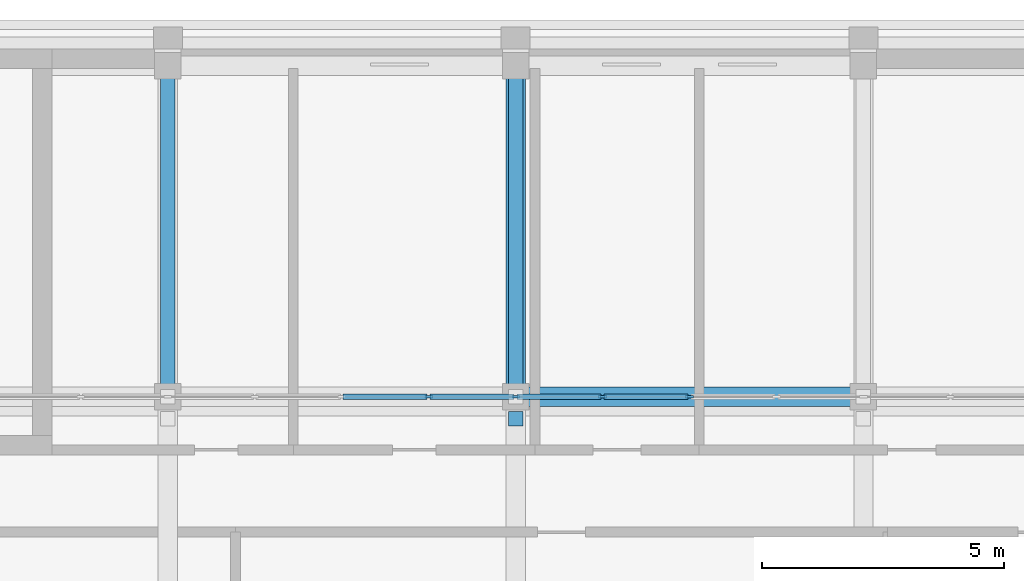
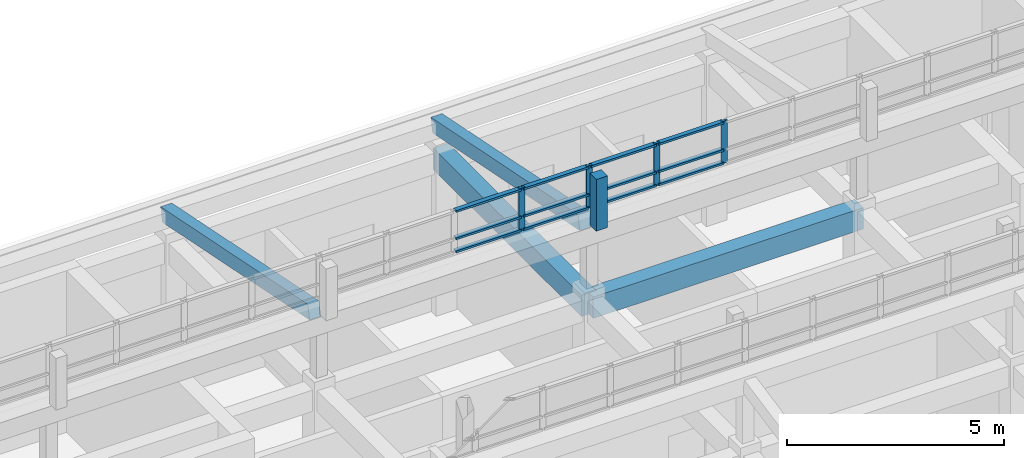
# One storey, part 20 of 48: 17 members, 4 beams, 1 element without a shape of its own.
"""IFC4 building model written with IfcOpenShell, lengths in metres."""

import ifcopenshell
import ifcopenshell.guid

model = None  # the IFC model being written
_history = None  # IfcOwnerHistory: only IFC2X3 demands one
_inside = {}  # id of a spatial element -> (the spatial element, [elements in it])
_under = {}  # id of a project, library or spatial element -> (it, [spatial elements below it])
_declared = {}  # id of a project -> (the project, [libraries it declares])
_typed = {}  # id of a type object -> (the type object, [elements of that type])
_made_of = {}  # id of a material, layer set ... -> (it, [elements and type objects made of it])


def new_model(schema):
    """Start an empty IFC model of exactly this schema.

    Asked for "IFC4X3", IfcOpenShell would pick the latest addendum, in which some entities
    have other attributes; the version numbers below select the first issue.
    IFC2X3 requires an IfcOwnerHistory on every rooted entity: one is made here for all.
    """
    global model, _history
    if schema == "IFC4X3":
        model = ifcopenshell.file(schema_version=(4, 3, 0, 0))
    else:
        model = ifcopenshell.file(schema=schema)
    _inside.clear()
    _under.clear()
    _declared.clear()
    _typed.clear()
    _made_of.clear()
    _history = None
    if model.schema == "IFC2X3":
        org = make("IfcOrganization", Name="unknown")
        user = make(
            "IfcPersonAndOrganization",
            ThePerson=make("IfcPerson", FamilyName="unknown"),
            TheOrganization=org,
        )
        app = make(
            "IfcApplication",
            ApplicationDeveloper=org,
            Version="unknown",
            ApplicationFullName="unknown",
            ApplicationIdentifier="unknown",
        )
        _history = make(
            "IfcOwnerHistory",
            OwningUser=user,
            OwningApplication=app,
            ChangeAction="ADDED",
            CreationDate=0,
        )
    return model


def make(cls, **values):
    """One entity of the class cls with the attributes given. An attribute that is None is left unset."""
    return model.create_entity(
        cls, **{name: value for name, value in values.items() if value is not None}
    )


def rooted(cls, **values):
    """An entity with a GlobalId (a new one), such as an element, a storey or a relation."""
    return make(cls, GlobalId=ifcopenshell.guid.new(), OwnerHistory=_history, **values)


def si_unit(unit_type, name, prefix=None):
    """IfcSIUnit, for example si_unit("LENGTHUNIT", "METRE", prefix="MILLI")."""
    return make("IfcSIUnit", UnitType=unit_type, Prefix=prefix, Name=name)


def assignment(units):
    """IfcUnitAssignment: the units of a project."""
    return None if units is None else make("IfcUnitAssignment", Units=units)


def point(xyz):
    """IfcCartesianPoint."""
    return None if xyz is None else make("IfcCartesianPoint", Coordinates=xyz)


def direction(xyz):
    """IfcDirection."""
    return None if xyz is None else make("IfcDirection", DirectionRatios=xyz)


def frame(location, z_axis=None, x_axis=None):
    """IfcAxis2Placement3D, a coordinate frame: its origin and axes. An axis left out is left unset."""
    return make(
        "IfcAxis2Placement3D",
        Location=point(location),
        Axis=direction(z_axis),
        RefDirection=direction(x_axis),
    )


def frame_2d(location, x_axis=None):
    """IfcAxis2Placement2D, a coordinate frame in the plane: its origin and x axis."""
    return make(
        "IfcAxis2Placement2D", Location=point(location), RefDirection=direction(x_axis)
    )


def origin():
    """The frame at (0, 0, 0) with its axes left unset."""
    return frame((0.0, 0.0, 0.0))


def origin_2d():
    """The frame at (0, 0) in the plane with its x axis left unset."""
    return frame_2d((0.0, 0.0))


def place(relative_to, where):
    """IfcLocalPlacement: puts the frame where relative to a parent placement (None: the world)."""
    return make(
        "IfcLocalPlacement", PlacementRelTo=relative_to, RelativePlacement=where
    )


def context(
    kind, dimensions, precision=None, world=None, true_north=None, identifier=None
):
    """IfcGeometricRepresentationContext, for example the 3D "Model" context."""
    return make(
        "IfcGeometricRepresentationContext",
        ContextIdentifier=identifier,
        ContextType=kind,
        CoordinateSpaceDimension=dimensions,
        Precision=precision,
        WorldCoordinateSystem=world,
        TrueNorth=true_north,
    )


def subcontext(parent, identifier, kind, view, scale=None):
    """IfcGeometricRepresentationSubContext, for example "Body" below "Model"."""
    return make(
        "IfcGeometricRepresentationSubContext",
        ContextIdentifier=identifier,
        ContextType=kind,
        ParentContext=parent,
        TargetScale=scale,
        TargetView=view,
    )


def project(units=None, contexts=None):
    """IfcProject with its units and contexts."""
    return rooted(
        "IfcProject",
        Name="project",
        RepresentationContexts=contexts,
        UnitsInContext=assignment(units),
    )


def spatial(cls, under=None, at=None, **own):
    """A site, building, storey or space (cls), placed at a placement, below another one or the project."""
    s = rooted(cls, ObjectPlacement=at, **own)
    if under is not None:
        _under.setdefault(under.id(), (under, []))[1].append(s)
    return s


def profile(cls, at=None, kind="AREA", **sizes):
    """A parametric profile (cls). Its sizes go by their IFC names, for example OverallWidth=200.0."""
    return make(cls, ProfileType=kind, Position=at, **sizes)


def rectangle(**sizes):
    """IfcRectangleProfileDef."""
    return profile("IfcRectangleProfileDef", **sizes)


def extrude(swept, where, along, depth):
    """IfcExtrudedAreaSolid: the profile swept, set in the frame where, extruded along a direction by depth."""
    return make(
        "IfcExtrudedAreaSolid",
        SweptArea=swept,
        Position=where,
        ExtrudedDirection=direction(along),
        Depth=depth,
    )


def shape(context_of_items, identifier, shape_type, items):
    """IfcShapeRepresentation: the items that make up one representation, for example the "Body"."""
    return make(
        "IfcShapeRepresentation",
        ContextOfItems=context_of_items,
        RepresentationIdentifier=identifier,
        RepresentationType=shape_type,
        Items=items,
    )


def material(Name=None, Category=None):
    """IfcMaterial."""
    return make("IfcMaterial", Name=Name, Category=Category)


def material_profile(
    of_material, cross_section, Name=None, Category=None, Priority=None
):
    """IfcMaterialProfile: a cross section and its material."""
    return make(
        "IfcMaterialProfile",
        Name=Name,
        Material=of_material,
        Profile=cross_section,
        Priority=Priority,
        Category=Category,
    )


def profile_set(profiles, Name=None, composite=None):
    """IfcMaterialProfileSet."""
    return make(
        "IfcMaterialProfileSet",
        Name=Name,
        MaterialProfiles=profiles,
        CompositeProfile=composite,
    )


def made_of(thing, what):
    """Note that an element or type object is made of a material, layer set ...; save() writes the relation."""
    if what is not None:
        _made_of.setdefault(what.id(), (what, []))[1].append(thing)
    return thing


def type_object(cls, material=None, **own):
    """A type object (cls), such as IfcWallType, which elements share."""
    return made_of(rooted(cls, **own), material)


def element(
    cls,
    number,
    at=None,
    inside=None,
    cuts=None,
    type_object=None,
    material=None,
    context=None,
    identifier="Body",
    shape_type=None,
    held_by="IfcProductDefinitionShape",
    body=None,
    shapes=None,
    **own,
):
    """One element of the class cls, such as IfcWall. Its Tag is "e" and its number.

    at: its placement. inside: the storey or other place that contains it. cuts: it is an
    opening in that element (IfcRelVoidsElement). A single representation is given by context,
    identifier, shape_type and body (its items); several are given by shapes. held_by: the class
    of the entity that holds the representations. save() writes the other relations.
    """
    e = rooted(cls, Tag="e%d" % number, ObjectPlacement=at, **own)
    if body is not None:
        shapes = [shape(context, identifier, shape_type, body)]
    if shapes is not None:
        e.Representation = make(held_by, Representations=shapes)
    if inside is not None:
        _inside.setdefault(inside.id(), (inside, []))[1].append(e)
    if cuts is not None:
        rooted(
            "IfcRelVoidsElement", RelatingBuildingElement=cuts, RelatedOpeningElement=e
        )
    if type_object is not None:
        _typed.setdefault(type_object.id(), (type_object, []))[1].append(e)
    return made_of(e, material)


def aggregate(whole, parts):
    """IfcRelAggregates: a whole, such as a stair, and the parts it consists of."""
    return rooted("IfcRelAggregates", RelatingObject=whole, RelatedObjects=parts)


def save(model, path):
    """Write the relations noted so far, then the file.

    IfcRelAggregates (storeys below a building ...), IfcRelContainedInSpatialStructure (elements
    in a storey), IfcRelDefinesByType, IfcRelAssociatesMaterial and IfcRelDeclares: one each for
    every whole, place, type object, material and project.
    """
    for whole, parts in _under.values():
        aggregate(whole, parts)
    for where, things in _inside.values():
        rooted(
            "IfcRelContainedInSpatialStructure",
            RelatedElements=things,
            RelatingStructure=where,
        )
    for kind, things in _typed.values():
        rooted("IfcRelDefinesByType", RelatedObjects=things, RelatingType=kind)
    for what, things in _made_of.values():
        rooted("IfcRelAssociatesMaterial", RelatedObjects=things, RelatingMaterial=what)
    for by, libraries in _declared.values():
        rooted("IfcRelDeclares", RelatingContext=by, RelatedDefinitions=libraries)
    model.write(path)


model = new_model("IFC4")

# Units and contexts
model_context = context("Model", 3, precision=1e-05, world=origin(), true_north=direction((0.0, 1.0)))
body_context = subcontext(model_context, "Body", "Model", "MODEL_VIEW")
ifc_project = project(units=[si_unit("LENGTHUNIT", "METRE"), si_unit("AREAUNIT", "SQUARE_METRE"), si_unit("VOLUMEUNIT", "CUBIC_METRE"), si_unit("PLANEANGLEUNIT", "RADIAN"), si_unit("MASSUNIT", "GRAM", prefix="KILO")], contexts=[model_context])

# Site, building, storey
site_placement = place(None, origin())
site = spatial("IfcSite", under=ifc_project, at=site_placement, CompositionType="ELEMENT")
building_placement = place(site_placement, origin())
building = spatial("IfcBuilding", under=site, at=building_placement, Name="Alderwick Market Hall", CompositionType="ELEMENT")
storey_placement = place(building_placement, frame((0.0, 0.0, 14.39990234375)))
storey = spatial("IfcBuildingStorey", under=building, at=storey_placement, Name="L02", CompositionType="ELEMENT", Elevation=14.39990234375)

# Curtain wall, members
ifc_material_1 = material(Name="F Curtain Wall 1800 module")
curtain_wall_type = type_object("IfcCurtainWallType", Name="F Curtain Wall 1800 module", PredefinedType="NOTDEFINED", material=ifc_material_1)
curtain_wall_placement = place(storey_placement, origin())
curtain_wall = element("IfcCurtainWall", 1, at=curtain_wall_placement, inside=storey, type_object=curtain_wall_type, Name="F.lantern.L02.n", PredefinedType="NOTDEFINED")
ifc_material_2 = material(Name="Aluminium alloy 6063-T6", Category="aluminium")
ifc_material_profile_1 = material_profile(ifc_material_2, rectangle(XDim=0.06005859375, YDim=0.159912109375, at=origin_2d()), Name="AL 60x160")
ifc_profile_set_1 = profile_set([ifc_material_profile_1], Name="Aluminium alloy 6063-T6")
member_type_1 = type_object("IfcMemberType", Name="F Curtain Wall Mullion 60x160", PredefinedType="MULLION", material=ifc_profile_set_1)
member_1_placement = place(storey_placement, frame((207.0, 144.0, 6.955078125), z_axis=(0.0, 0.0, 1.0), x_axis=(0.0, 1.0, 0.0)))
member_1 = element("IfcMember", 2, at=member_1_placement, type_object=member_type_1, Name="F-LCW mullion 24", PredefinedType="MULLION", context=body_context, shape_type="SweptSolid", body=[
    extrude(rectangle(XDim=0.06005859375, YDim=0.159912109375, at=origin_2d()), origin(), (0.0, 0.0, 1.0), 1.199951171875),
])
member_2_placement = place(storey_placement, frame((208.800048828125, 144.0, 6.955078125), z_axis=(0.0, 0.0, 1.0), x_axis=(0.0, 1.0, 0.0)))
member_2 = element("IfcMember", 3, at=member_2_placement, type_object=member_type_1, Name="F-LCW mullion 25", PredefinedType="MULLION", context=body_context, shape_type="SweptSolid", body=[
    extrude(rectangle(XDim=0.06005859375, YDim=0.159912109375, at=origin_2d()), origin(), (0.0, 0.0, 1.0), 1.199951171875),
])
member_3_placement = place(storey_placement, frame((210.60009765625, 144.0, 6.955078125), z_axis=(0.0, 0.0, 1.0), x_axis=(0.0, 1.0, 0.0)))
member_3 = element("IfcMember", 4, at=member_3_placement, type_object=member_type_1, Name="F-LCW mullion 26", PredefinedType="MULLION", context=body_context, shape_type="SweptSolid", body=[
    extrude(rectangle(XDim=0.06005859375, YDim=0.159912109375, at=origin_2d()), origin(), (0.0, 0.0, 1.0), 1.199951171875),
])
member_4_placement = place(storey_placement, frame((212.39990234375, 144.0, 6.955078125), z_axis=(0.0, 0.0, 1.0), x_axis=(0.0, 1.0, 0.0)))
member_4 = element("IfcMember", 5, at=member_4_placement, type_object=member_type_1, Name="F-LCW mullion 27", PredefinedType="MULLION", context=body_context, shape_type="SweptSolid", body=[
    extrude(rectangle(XDim=0.06005859375, YDim=0.159912109375, at=origin_2d()), origin(), (0.0, 0.0, 1.0), 1.199951171875),
])
ifc_material_profile_2 = material_profile(ifc_material_2, rectangle(XDim=0.1201171875, YDim=0.06005859375, at=origin_2d()), Name="AL 60x120")
ifc_profile_set_2 = profile_set([ifc_material_profile_2], Name="Aluminium alloy 6063-T6")
member_type_2 = type_object("IfcMemberType", Name="F Curtain Wall Transom 60x120", PredefinedType="USERDEFINED", material=ifc_profile_set_2)
member_5_placement = place(storey_placement, frame((205.22998046875, 144.0, 6.985107421875), z_axis=(1.0, 0.0, 0.0), x_axis=(0.0, 1.0, 0.0)))
member_5 = element("IfcMember", 6, at=member_5_placement, type_object=member_type_2, Name="F-LCW transom 23.1", ObjectType="TRANSOM", PredefinedType="USERDEFINED", context=body_context, shape_type="SweptSolid", body=[
    extrude(rectangle(XDim=0.1201171875, YDim=0.06005859375, at=origin_2d()), origin(), (0.0, 0.0, 1.0), 1.739990234375),
])
member_6_placement = place(storey_placement, frame((205.22998046875, 144.0, 7.35498046875), z_axis=(1.0, 0.0, 0.0), x_axis=(0.0, 1.0, 0.0)))
member_6 = element("IfcMember", 7, at=member_6_placement, type_object=member_type_2, Name="F-LCW transom 23.2", ObjectType="TRANSOM", PredefinedType="USERDEFINED", context=body_context, shape_type="SweptSolid", body=[
    extrude(rectangle(XDim=0.1201171875, YDim=0.06005859375, at=origin_2d()), origin(), (0.0, 0.0, 1.0), 1.739990234375),
])
member_7_placement = place(storey_placement, frame((205.22998046875, 144.0, 8.125), z_axis=(1.0, 0.0, 0.0), x_axis=(0.0, 1.0, 0.0)))
member_7 = element("IfcMember", 8, at=member_7_placement, type_object=member_type_2, Name="F-LCW transom 23.3", ObjectType="TRANSOM", PredefinedType="USERDEFINED", context=body_context, shape_type="SweptSolid", body=[
    extrude(rectangle(XDim=0.1201171875, YDim=0.06005859375, at=origin_2d()), origin(), (0.0, 0.0, 1.0), 1.739990234375),
])
member_8_placement = place(storey_placement, frame((207.030029296875, 144.0, 6.985107421875), z_axis=(1.0, 0.0, 0.0), x_axis=(0.0, 1.0, 0.0)))
member_8 = element("IfcMember", 9, at=member_8_placement, type_object=member_type_2, Name="F-LCW transom 24.1", ObjectType="TRANSOM", PredefinedType="USERDEFINED", context=body_context, shape_type="SweptSolid", body=[
    extrude(rectangle(XDim=0.1201171875, YDim=0.06005859375, at=origin_2d()), origin(), (0.0, 0.0, 1.0), 1.739990234375),
])
member_9_placement = place(storey_placement, frame((207.030029296875, 144.0, 7.35498046875), z_axis=(1.0, 0.0, 0.0), x_axis=(0.0, 1.0, 0.0)))
member_9 = element("IfcMember", 10, at=member_9_placement, type_object=member_type_2, Name="F-LCW transom 24.2", ObjectType="TRANSOM", PredefinedType="USERDEFINED", context=body_context, shape_type="SweptSolid", body=[
    extrude(rectangle(XDim=0.1201171875, YDim=0.06005859375, at=origin_2d()), origin(), (0.0, 0.0, 1.0), 1.739990234375),
])
member_10_placement = place(storey_placement, frame((207.030029296875, 144.0, 8.125), z_axis=(1.0, 0.0, 0.0), x_axis=(0.0, 1.0, 0.0)))
member_10 = element("IfcMember", 11, at=member_10_placement, type_object=member_type_2, Name="F-LCW transom 24.3", ObjectType="TRANSOM", PredefinedType="USERDEFINED", context=body_context, shape_type="SweptSolid", body=[
    extrude(rectangle(XDim=0.1201171875, YDim=0.06005859375, at=origin_2d()), origin(), (0.0, 0.0, 1.0), 1.739990234375),
])
member_11_placement = place(storey_placement, frame((208.830078125, 144.0, 6.985107421875), z_axis=(1.0, 0.0, 0.0), x_axis=(0.0, 1.0, 0.0)))
member_11 = element("IfcMember", 12, at=member_11_placement, type_object=member_type_2, Name="F-LCW transom 25.1", ObjectType="TRANSOM", PredefinedType="USERDEFINED", context=body_context, shape_type="SweptSolid", body=[
    extrude(rectangle(XDim=0.1201171875, YDim=0.06005859375, at=origin_2d()), origin(), (0.0, 0.0, 1.0), 1.739990234375),
])
member_12_placement = place(storey_placement, frame((208.830078125, 144.0, 7.35498046875), z_axis=(1.0, 0.0, 0.0), x_axis=(0.0, 1.0, 0.0)))
member_12 = element("IfcMember", 13, at=member_12_placement, type_object=member_type_2, Name="F-LCW transom 25.2", ObjectType="TRANSOM", PredefinedType="USERDEFINED", context=body_context, shape_type="SweptSolid", body=[
    extrude(rectangle(XDim=0.1201171875, YDim=0.06005859375, at=origin_2d()), origin(), (0.0, 0.0, 1.0), 1.739990234375),
])
member_13_placement = place(storey_placement, frame((208.830078125, 144.0, 8.125), z_axis=(1.0, 0.0, 0.0), x_axis=(0.0, 1.0, 0.0)))
member_13 = element("IfcMember", 14, at=member_13_placement, type_object=member_type_2, Name="F-LCW transom 25.3", ObjectType="TRANSOM", PredefinedType="USERDEFINED", context=body_context, shape_type="SweptSolid", body=[
    extrude(rectangle(XDim=0.1201171875, YDim=0.06005859375, at=origin_2d()), origin(), (0.0, 0.0, 1.0), 1.739990234375),
])
member_14_placement = place(storey_placement, frame((210.6298828125, 144.0, 6.985107421875), z_axis=(1.0, 0.0, 0.0), x_axis=(0.0, 1.0, 0.0)))
member_14 = element("IfcMember", 15, at=member_14_placement, type_object=member_type_2, Name="F-LCW transom 26.1", ObjectType="TRANSOM", PredefinedType="USERDEFINED", context=body_context, shape_type="SweptSolid", body=[
    extrude(rectangle(XDim=0.1201171875, YDim=0.06005859375, at=origin_2d()), origin(), (0.0, 0.0, 1.0), 1.740234375),
])
member_15_placement = place(storey_placement, frame((210.6298828125, 144.0, 7.35498046875), z_axis=(1.0, 0.0, 0.0), x_axis=(0.0, 1.0, 0.0)))
member_15 = element("IfcMember", 16, at=member_15_placement, type_object=member_type_2, Name="F-LCW transom 26.2", ObjectType="TRANSOM", PredefinedType="USERDEFINED", context=body_context, shape_type="SweptSolid", body=[
    extrude(rectangle(XDim=0.1201171875, YDim=0.06005859375, at=origin_2d()), origin(), (0.0, 0.0, 1.0), 1.740234375),
])
member_16_placement = place(storey_placement, frame((210.6298828125, 144.0, 8.125), z_axis=(1.0, 0.0, 0.0), x_axis=(0.0, 1.0, 0.0)))
member_16 = element("IfcMember", 17, at=member_16_placement, type_object=member_type_2, Name="F-LCW transom 26.3", ObjectType="TRANSOM", PredefinedType="USERDEFINED", context=body_context, shape_type="SweptSolid", body=[
    extrude(rectangle(XDim=0.1201171875, YDim=0.06005859375, at=origin_2d()), origin(), (0.0, 0.0, 1.0), 1.740234375),
])
aggregate(curtain_wall, [member_1, member_2, member_3, member_4, member_5, member_6, member_7, member_8, member_9, member_10, member_11, member_12, member_13, member_14, member_15, member_16])

# Beams
ifc_material_3 = material(Name="Concrete 5000 psi (f'c 35 MPa)", Category="concrete")
ifc_material_profile_3 = material_profile(ifc_material_3, rectangle(XDim=0.39990234375, YDim=0.60009765625, at=origin_2d()), Name="RC 400x600")
ifc_profile_set_3 = profile_set([ifc_material_profile_3], Name="Concrete 5000 psi (f'c 35 MPa)")
beam_type_1 = type_object("IfcBeamType", Name="F Floor Beam RC 400x600", PredefinedType="BEAM", material=ifc_profile_set_3)
beam_1_placement = place(storey_placement, frame((208.800048828125, 144.0, 4.25), z_axis=(1.0, 0.0, 0.0), x_axis=(0.0, 1.0, 0.0)))
element("IfcBeam", 18, at=beam_1_placement, inside=storey, type_object=beam_type_1, Name="F.beam.L02.027", PredefinedType="BEAM", context=body_context, shape_type="SweptSolid", body=[
    extrude(rectangle(XDim=0.39990234375, YDim=0.60009765625, at=origin_2d()), origin(), (0.0, 0.0, 1.0), 7.199951171875),
])
beam_2_placement = place(storey_placement, frame((208.800048828125, 144.0, 4.25), z_axis=(0.0, 1.0, 0.0), x_axis=(-1.0, 0.0, 0.0)))
element("IfcBeam", 19, at=beam_2_placement, inside=storey, type_object=beam_type_1, Name="F.beam.L02.057", PredefinedType="BEAM", context=body_context, shape_type="SweptSolid", body=[
    extrude(rectangle(XDim=0.39990234375, YDim=0.60009765625, at=origin_2d()), origin(), (0.0, 0.0, 1.0), 6.85009765625),
])

# Member
ifc_material_profile_4 = material_profile(ifc_material_3, rectangle(XDim=0.300048828125, YDim=0.300048828125, at=origin_2d()), Name="RC 300x300")
ifc_profile_set_4 = profile_set([ifc_material_profile_4], Name="Concrete 5000 psi (f'c 35 MPa)")
member_type_3 = type_object("IfcMemberType", Name="F Lantern Post RC 300x300", PredefinedType="POST", material=ifc_profile_set_4)
member_17_placement = place(storey_placement, frame((208.800048828125, 143.550048828125, 6.7001953125), z_axis=(0.0, 0.0, 1.0), x_axis=(1.0, 0.0, 0.0)))
element("IfcMember", 20, at=member_17_placement, inside=storey, type_object=member_type_3, Name="F.lanternpost.L02.16", PredefinedType="POST", context=body_context, shape_type="SweptSolid", body=[
    extrude(rectangle(XDim=0.300048828125, YDim=0.300048828125, at=origin_2d()), origin(), (0.0, 0.0, 1.0), 1.454833984375),
])

# Beams
ifc_material_profile_5 = material_profile(ifc_material_3, rectangle(XDim=0.300048828125, YDim=0.39990234375, at=origin_2d()), Name="RC 300x400")
ifc_profile_set_5 = profile_set([ifc_material_profile_5], Name="Concrete 5000 psi (f'c 35 MPa)")
beam_type_2 = type_object("IfcBeamType", Name="F Rafter RC 300x400", PredefinedType="BEAM", material=ifc_profile_set_5)
for number, where, z_axis, x_axis, name in (
    (21, (201.60009765625, 151.0, 5.08642578125), (0.0, -0.980319904111, 0.197415515103), (1.0, 0.0, 0.0), "F.rafter.L02.012"),
    (22, (208.800048828125, 151.0, 5.08642578125), (0.0, -0.980319904111, 0.197415515103), (1.0, 0.0, 0.0), "F.rafter.L02.014"),
):
    element("IfcBeam", number, at=place(storey_placement, frame(where, z_axis=z_axis, x_axis=x_axis)), inside=storey, type_object=beam_type_2, Name=name, PredefinedType="BEAM", context=body_context, shape_type="SweptSolid", body=[
        extrude(rectangle(XDim=0.300048828125, YDim=0.39990234375, at=origin_2d()), origin(), (0.0, 0.0, 1.0), 6.9365234375),
    ])

save(model, "model.ifc")
